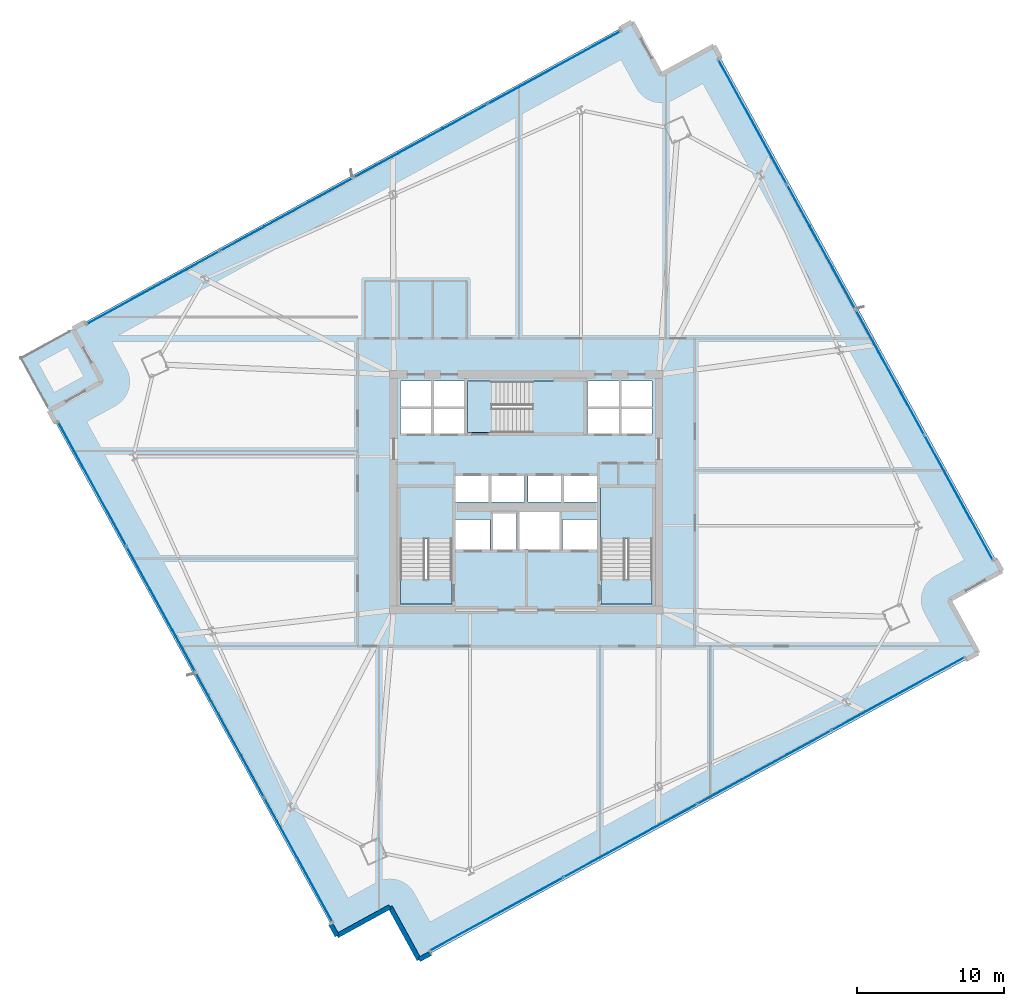
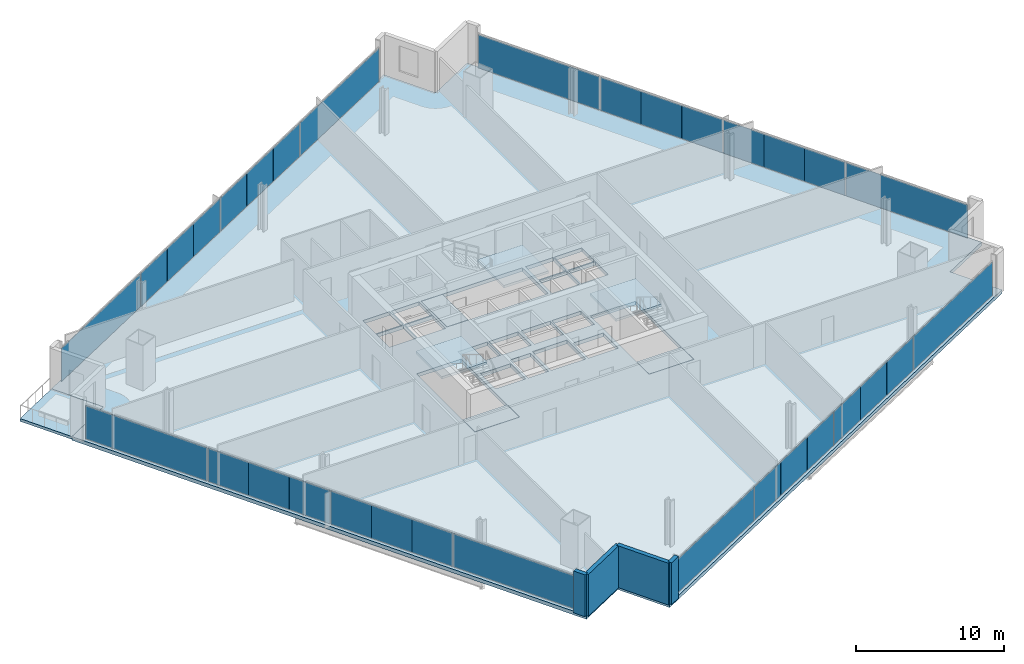
# One storey, part 23 of 33: 32 plates, 8 slabs, 4 walls, 7 elements without a shape of their own.
"""IFC4 building model written with IfcOpenShell, lengths in metres."""

from ifc_helpers import new_model, si_unit, direction, frame, frame_2d, origin, origin_2d, place, context, subcontext, project, spatial, polyline, rectangle, outline, extrude, source, transform, mapped, material, layer, layer_set, type_object, element, aggregate, save


model = new_model("IFC4")

# Units and contexts
model_context = context("Model", 3, precision=1e-05, world=origin(), true_north=direction((0.0, 1.0)))
body_context = subcontext(model_context, "Body", "Model", "MODEL_VIEW")
ifc_project = project(units=[si_unit("LENGTHUNIT", "METRE"), si_unit("AREAUNIT", "SQUARE_METRE"), si_unit("VOLUMEUNIT", "CUBIC_METRE"), si_unit("PLANEANGLEUNIT", "RADIAN"), si_unit("MASSUNIT", "GRAM", prefix="KILO")], contexts=[model_context])

# Site, building, storey
site_placement = place(None, origin())
site = spatial("IfcSite", under=ifc_project, at=site_placement, CompositionType="ELEMENT")
building_placement = place(site_placement, origin())
building = spatial("IfcBuilding", under=site, at=building_placement, Name="Haldenkirk Collegiate Tower", CompositionType="ELEMENT")
storey_placement = place(building_placement, frame((0.0, 0.0, 124.199951171875)))
storey = spatial("IfcBuildingStorey", under=building, at=storey_placement, Name="L30", CompositionType="ELEMENT", Elevation=124.199951171875)

# Slab
ifc_material_1 = material(Name="Concrete f'c 40 MPa", Category="concrete")
ifc_layer_1 = layer(ifc_material_1, 0.300048828125)
ifc_layer_set_1 = layer_set([ifc_layer_1], Name="Concrete f'c 40 MPa")
slab_type_1 = type_object("IfcSlabType", Name="SLB-FLR-300", PredefinedType="FLOOR", material=ifc_layer_set_1)
slab_1_placement = place(storey_placement, frame((0.0, 0.0, -0.300048828125)))
element("IfcSlab", 1, at=slab_1_placement, inside=storey, type_object=slab_type_1, Name="L30 composite structural floor slab", PredefinedType="FLOOR", context=body_context, shape_type="SweptSolid", body=[
    extrude(outline(polyline([(28.718994140625, -5.73974609375), (66.68115234375, 15.0869140625), (64.708984375, 18.681640625), (68.3037109375, 20.65380859375), (48.739501953125, 56.314453125), (45.14501953125, 54.342529296875), (43.1728515625, 57.93701171875), (5.210693359375, 37.110107421875), (7.1826171875, 33.515625), (3.588134765625, 31.543701171875), (23.15234375, -4.1171875), (26.746826171875, -2.145263671875), (28.718994140625, -5.73974609375)]), holes=[polyline([(27.449951171875, 18.39990234375), (30.949951171875, 18.39990234375), (30.949951171875, 26.300048828125), (27.449951171875, 26.300048828125), (27.449951171875, 18.39990234375)]), polyline([(41.050048828125, 18.39990234375), (44.550048828125, 18.39990234375), (44.550048828125, 26.300048828125), (41.050048828125, 26.300048828125), (41.050048828125, 18.39990234375)]), polyline([(32.0, 30.050048828125), (39.89990234375, 30.050048828125), (39.89990234375, 33.550048828125), (32.0, 33.550048828125), (32.0, 30.050048828125)]), polyline([(33.75, 22.10009765625), (35.35009765625, 22.10009765625), (35.35009765625, 24.550048828125), (33.75, 24.550048828125), (33.75, 22.10009765625)]), polyline([(27.449951171875, 29.949951171875), (29.580078125, 29.949951171875), (29.580078125, 31.699951171875), (27.449951171875, 31.699951171875), (27.449951171875, 29.949951171875)]), polyline([(29.679931640625, 29.949951171875), (31.85009765625, 29.949951171875), (31.85009765625, 31.699951171875), (29.679931640625, 31.699951171875), (29.679931640625, 29.949951171875)]), polyline([(27.449951171875, 31.800048828125), (29.580078125, 31.800048828125), (29.580078125, 33.550048828125), (27.449951171875, 33.550048828125), (27.449951171875, 31.800048828125)]), polyline([(29.679931640625, 31.800048828125), (31.85009765625, 31.800048828125), (31.85009765625, 33.550048828125), (29.679931640625, 33.550048828125), (29.679931640625, 31.800048828125)]), polyline([(40.14990234375, 29.949951171875), (42.320068359375, 29.949951171875), (42.320068359375, 31.699951171875), (40.14990234375, 31.699951171875), (40.14990234375, 29.949951171875)]), polyline([(42.419921875, 29.949951171875), (44.550048828125, 29.949951171875), (44.550048828125, 31.699951171875), (42.419921875, 31.699951171875), (42.419921875, 29.949951171875)]), polyline([(40.14990234375, 31.800048828125), (42.320068359375, 31.800048828125), (42.320068359375, 33.550048828125), (40.14990234375, 33.550048828125), (40.14990234375, 31.800048828125)]), polyline([(42.419921875, 31.800048828125), (44.550048828125, 31.800048828125), (44.550048828125, 33.550048828125), (42.419921875, 33.550048828125), (42.419921875, 31.800048828125)]), polyline([(31.199951171875, 25.35009765625), (33.47998046875, 25.35009765625), (33.47998046875, 27.14990234375), (31.199951171875, 27.14990234375), (31.199951171875, 25.35009765625)]), polyline([(33.60009765625, 25.35009765625), (35.8798828125, 25.35009765625), (35.8798828125, 27.14990234375), (33.60009765625, 27.14990234375), (33.60009765625, 25.35009765625)]), polyline([(36.1201171875, 25.35009765625), (38.39990234375, 25.35009765625), (38.39990234375, 27.14990234375), (36.1201171875, 27.14990234375), (36.1201171875, 25.35009765625)]), polyline([(38.52001953125, 25.35009765625), (40.800048828125, 25.35009765625), (40.800048828125, 27.14990234375), (38.52001953125, 27.14990234375), (38.52001953125, 25.35009765625)]), polyline([(31.199951171875, 22.10009765625), (33.550048828125, 22.10009765625), (33.550048828125, 24.14990234375), (31.199951171875, 24.14990234375), (31.199951171875, 22.10009765625)]), polyline([(38.449951171875, 22.10009765625), (40.800048828125, 22.10009765625), (40.800048828125, 24.14990234375), (38.449951171875, 24.14990234375), (38.449951171875, 22.10009765625)]), polyline([(35.550048828125, 22.10009765625), (38.25, 22.10009765625), (38.25, 24.64990234375), (35.550048828125, 24.64990234375), (35.550048828125, 22.10009765625)])]), origin(), (0.0, 0.0, 1.0), 0.300048828125),
])

# Stair, slab
stair_type = type_object("IfcStairType", Name="STR-DOGLEG-1650", PredefinedType="HALF_TURN_STAIR", material=ifc_material_1)
stair_1_placement = place(storey_placement, origin())
stair_1 = element("IfcStair", 2, at=stair_1_placement, inside=storey, type_object=stair_type, Name="L30 Core Exit Stair ST-1", PredefinedType="HALF_TURN_STAIR")
ifc_layer_2 = layer(ifc_material_1, 0.199951171875)
ifc_layer_set_2 = layer_set([ifc_layer_2], Name="Concrete f'c 40 MPa")
slab_type_2 = type_object("IfcSlabType", Name="SLB-LANDING-200", PredefinedType="LANDING", material=ifc_layer_set_2)
slab_2_placement = place(storey_placement, frame((0.0, 0.0, 1.675048828125)))
slab_2 = element("IfcSlab", 3, at=slab_2_placement, type_object=slab_type_2, Name="ST-1 landing 1", PredefinedType="LANDING", context=body_context, shape_type="SweptSolid", body=[
    extrude(outline(polyline([(30.97509765625, 22.824951171875), (27.425048828125, 22.824951171875), (27.425048828125, 26.324951171875), (30.97509765625, 26.324951171875), (30.97509765625, 22.824951171875)])), origin(), (0.0, 0.0, 1.0), 0.199951171875),
])
aggregate(stair_1, [slab_2])

stair_2_placement = place(storey_placement, origin())
stair_2 = element("IfcStair", 4, at=stair_2_placement, inside=storey, type_object=stair_type, Name="L30 Core Exit Stair ST-2", PredefinedType="HALF_TURN_STAIR")
slab_3_placement = place(storey_placement, frame((0.0, 0.0, 1.675048828125)))
slab_3 = element("IfcSlab", 5, at=slab_3_placement, type_object=slab_type_2, Name="ST-2 landing 1", PredefinedType="LANDING", context=body_context, shape_type="SweptSolid", body=[
    extrude(outline(polyline([(44.574951171875, 22.824951171875), (41.02490234375, 22.824951171875), (41.02490234375, 26.324951171875), (44.574951171875, 26.324951171875), (44.574951171875, 22.824951171875)])), origin(), (0.0, 0.0, 1.0), 0.199951171875),
])
aggregate(stair_2, [slab_3])

stair_3_placement = place(storey_placement, origin())
stair_3 = element("IfcStair", 6, at=stair_3_placement, inside=storey, type_object=stair_type, Name="L30 Core Exit Stair ST-3", PredefinedType="HALF_TURN_STAIR")
slab_4_placement = place(storey_placement, frame((0.0, 0.0, 1.675048828125)))
slab_4 = element("IfcSlab", 7, at=slab_4_placement, type_object=slab_type_2, Name="ST-3 landing 1", PredefinedType="LANDING", context=body_context, shape_type="SweptSolid", body=[
    extrude(outline(polyline([(36.425048828125, 30.02490234375), (36.425048828125, 33.574951171875), (39.925048828125, 33.574951171875), (39.925048828125, 30.02490234375), (36.425048828125, 30.02490234375)])), origin(), (0.0, 0.0, 1.0), 0.199951171875),
])
aggregate(stair_3, [slab_4])

# Slabs
ifc_layer_3 = layer(ifc_material_1, 0.25)
ifc_layer_set_3 = layer_set([ifc_layer_3], Name="Concrete f'c 40 MPa")
slab_type_3 = type_object("IfcSlabType", Name="SLB-STAIRLAND-250", PredefinedType="LANDING", material=ifc_layer_set_3)
slab_5_placement = place(storey_placement, frame((0.0, 0.0, -0.25)))
element("IfcSlab", 8, at=slab_5_placement, inside=storey, type_object=slab_type_3, Name="L30 stair ST1 structural floor landing slab", PredefinedType="LANDING", context=body_context, shape_type="SweptSolid", body=[
    extrude(outline(polyline([(27.4599609375, 18.409912109375), (30.93994140625, 18.409912109375), (30.93994140625, 20.080078125), (27.4599609375, 20.080078125), (27.4599609375, 18.409912109375)])), origin(), (0.0, 0.0, 1.0), 0.25),
])
slab_6_placement = place(storey_placement, frame((0.0, 0.0, -0.25)))
element("IfcSlab", 9, at=slab_6_placement, inside=storey, type_object=slab_type_3, Name="L30 stair ST2 structural floor landing slab", PredefinedType="LANDING", context=body_context, shape_type="SweptSolid", body=[
    extrude(outline(polyline([(41.06005859375, 18.409912109375), (44.5400390625, 18.409912109375), (44.5400390625, 20.080078125), (41.06005859375, 20.080078125), (41.06005859375, 18.409912109375)])), origin(), (0.0, 0.0, 1.0), 0.25),
])
slab_7_placement = place(storey_placement, frame((0.0, 0.0, -0.25)))
element("IfcSlab", 10, at=slab_7_placement, inside=storey, type_object=slab_type_3, Name="L30 stair ST3 structural floor landing slab", PredefinedType="LANDING", context=body_context, shape_type="SweptSolid", body=[
    extrude(outline(polyline([(32.010009765625, 30.06005859375), (33.679931640625, 30.06005859375), (33.679931640625, 33.5400390625), (32.010009765625, 33.5400390625), (32.010009765625, 30.06005859375)])), origin(), (0.0, 0.0, 1.0), 0.25),
])
ifc_layer_4 = layer(ifc_material_1, 0.22998046875)
ifc_layer_set_4 = layer_set([ifc_layer_4], Name="Concrete f'c 40 MPa")
slab_type_4 = type_object("IfcSlabType", Name="SLB-TERR-SPIRAL-230", PredefinedType="FLOOR", material=ifc_layer_set_4)
slab_8_placement = place(storey_placement, frame((0.0, 0.0, -0.22998046875)))
element("IfcSlab", 11, at=slab_8_placement, inside=storey, type_object=slab_type_4, Name="L30 spiralling corner terrace slab", PredefinedType="FLOOR", context=body_context, shape_type="SweptSolid", body=[
    extrude(outline(polyline([(3.588134765625, 31.543701171875), (7.1826171875, 33.515625), (5.210693359375, 37.110107421875), (1.615966796875, 35.13818359375), (3.588134765625, 31.543701171875)])), origin(), (0.0, 0.0, 1.0), 0.22998046875),
])

# Curtain wall, plates
ifc_material_2 = material(Name="Anodised architectural bronze aluminium", Category="aluminium")
curtain_wall_type_1 = type_object("IfcCurtainWallType", Name="CW-SYS2-CONCAVE", PredefinedType="USERDEFINED", material=ifc_material_2)
curtain_wall_1_placement = place(storey_placement, origin())
curtain_wall_1 = element("IfcCurtainWall", 12, at=curtain_wall_1_placement, inside=storey, type_object=curtain_wall_type_1, Name="L30 South concave recessed bronze-anodised curtain wall", ObjectType="UNITISED CURTAIN WALL", PredefinedType="USERDEFINED")
ifc_material_3 = material(Name="Low-E argon triple insulating glass", Category="glass")
ifc_layer_5 = layer(ifc_material_3, 0.0419921875)
ifc_layer_set_5 = layer_set([ifc_layer_5], Name="Low-E argon triple insulating glass")
plate_type_1 = type_object("IfcPlateType", Name="CW-PNL-02", PredefinedType="CURTAIN_PANEL", material=ifc_layer_set_5)
shared_shape_1 = source(origin(), body_context, "Body", "SweptSolid", [
    extrude(rectangle(XDim=10.262451171875, YDim=0.0419921875, at=origin_2d()), origin(), (0.0, 0.0, 1.0), 2.7509765625),
])
plate_1_placement = place(storey_placement, frame((61.240966796875, 12.307861328125, 0.074951171875), z_axis=(0.0, 0.0, 1.0), x_axis=(-0.876726763783, -0.480988754199, 0.0)))
plate_1 = element("IfcPlate", 13, at=plate_1_placement, type_object=plate_type_1, Name="CW-02 panel 1.1", PredefinedType="CURTAIN_PANEL", context=body_context, shape_type="MappedRepresentation", body=[
    mapped(shared_shape_1, transform((0.0, 0.0, 0.0), x_axis=(1.0, 0.0, 0.0), y_axis=(0.0, 1.0, 0.0), z_axis=(0.0, 0.0, 1.0), scale=1.0)),
])
plate_2_placement = place(storey_placement, frame((33.98583984375, -2.64501953125, 0.074951171875), z_axis=(0.0, 0.0, 1.0), x_axis=(-0.876726763783, -0.480988754199, 0.0)))
plate_2 = element("IfcPlate", 14, at=plate_2_placement, type_object=plate_type_1, Name="CW-02 panel 4.1", PredefinedType="CURTAIN_PANEL", context=body_context, shape_type="MappedRepresentation", body=[
    mapped(shared_shape_1, transform((0.0, 0.0, 0.0), x_axis=(1.0, 0.0, 0.0), y_axis=(0.0, 1.0, 0.0), z_axis=(0.0, 0.0, 1.0), scale=1.0)),
])
ifc_material_4 = material(Name="Bronze-anodised insulated aluminium spandrel panel", Category="aluminium")
ifc_layer_6 = layer(ifc_material_4, 0.0419921875)
ifc_layer_set_6 = layer_set([ifc_layer_6], Name="Bronze-anodised insulated aluminium spandrel panel")
plate_type_2 = type_object("IfcPlateType", Name="CW-SPD-02", PredefinedType="CURTAIN_PANEL", material=ifc_layer_set_6)
shared_shape_2 = source(origin(), body_context, "Body", "SweptSolid", [
    extrude(rectangle(XDim=3.4208984375, YDim=0.0419921875, at=origin_2d()), origin(), (0.0, 0.0, 1.0), 2.7509765625),
])
plate_3_placement = place(storey_placement, frame((55.177001953125, 8.98095703125, 0.074951171875), z_axis=(0.0, 0.0, 1.0), x_axis=(-0.876726763783, -0.480988754199, 0.0)))
plate_3 = element("IfcPlate", 15, at=plate_3_placement, type_object=plate_type_2, Name="CW-02 spandrel panel 2.1a", PredefinedType="CURTAIN_PANEL", context=body_context, shape_type="MappedRepresentation", body=[
    mapped(shared_shape_2, transform((0.0, 0.0, 0.0), x_axis=(1.0, 0.0, 0.0), y_axis=(0.0, 1.0, 0.0), z_axis=(0.0, 0.0, 1.0), scale=1.0)),
])
plate_4_placement = place(storey_placement, frame((49.14599609375, 5.672119140625, 0.074951171875), z_axis=(0.0, 0.0, 1.0), x_axis=(-0.876726763783, -0.480988754199, 0.0)))
plate_4 = element("IfcPlate", 16, at=plate_4_placement, type_object=plate_type_2, Name="CW-02 spandrel panel 2.1c", PredefinedType="CURTAIN_PANEL", context=body_context, shape_type="MappedRepresentation", body=[
    mapped(shared_shape_2, transform((0.0, 0.0, 0.0), x_axis=(1.0, 0.0, 0.0), y_axis=(0.0, 1.0, 0.0), z_axis=(0.0, 0.0, 1.0), scale=1.0)),
])
plate_5_placement = place(storey_placement, frame((46.0810546875, 3.99072265625, 0.074951171875), z_axis=(0.0, 0.0, 1.0), x_axis=(-0.876726763783, -0.480988754199, 0.0)))
plate_5 = element("IfcPlate", 17, at=plate_5_placement, type_object=plate_type_2, Name="CW-02 spandrel panel 3.1a", PredefinedType="CURTAIN_PANEL", context=body_context, shape_type="MappedRepresentation", body=[
    mapped(shared_shape_2, transform((0.0, 0.0, 0.0), x_axis=(1.0, 0.0, 0.0), y_axis=(0.0, 1.0, 0.0), z_axis=(0.0, 0.0, 1.0), scale=1.0)),
])
plate_6_placement = place(storey_placement, frame((40.0498046875, 0.681884765625, 0.074951171875), z_axis=(0.0, 0.0, 1.0), x_axis=(-0.876726763783, -0.480988754199, 0.0)))
plate_6 = element("IfcPlate", 18, at=plate_6_placement, type_object=plate_type_1, Name="CW-02 panel 3.1c", PredefinedType="CURTAIN_PANEL", context=body_context, shape_type="MappedRepresentation", body=[
    mapped(shared_shape_2, transform((0.0, 0.0, 0.0), x_axis=(1.0, 0.0, 0.0), y_axis=(0.0, 1.0, 0.0), z_axis=(0.0, 0.0, 1.0), scale=1.0)),
])
shared_shape_3 = source(origin(), body_context, "Body", "SweptSolid", [
    extrude(rectangle(XDim=3.408203125, YDim=0.0419921875, at=origin_2d()), origin(), (0.0, 0.0, 1.0), 2.7509765625),
])
plate_7_placement = place(storey_placement, frame((52.16162109375, 7.326416015625, 0.074951171875), z_axis=(0.0, 0.0, 1.0), x_axis=(-0.876726763783, -0.480988754199, 0.0)))
plate_7 = element("IfcPlate", 19, at=plate_7_placement, type_object=plate_type_2, Name="CW-02 spandrel panel 2.1b", PredefinedType="CURTAIN_PANEL", context=body_context, shape_type="MappedRepresentation", body=[
    mapped(shared_shape_3, transform((0.0, 0.0, 0.0), x_axis=(1.0, 0.0, 0.0), y_axis=(0.0, 1.0, 0.0), z_axis=(0.0, 0.0, 1.0), scale=1.0)),
])
plate_8_placement = place(storey_placement, frame((43.0654296875, 2.336181640625, 0.074951171875), z_axis=(0.0, 0.0, 1.0), x_axis=(-0.876726763783, -0.480988754199, 0.0)))
plate_8 = element("IfcPlate", 20, at=plate_8_placement, type_object=plate_type_1, Name="CW-02 panel 3.1b", PredefinedType="CURTAIN_PANEL", context=body_context, shape_type="MappedRepresentation", body=[
    mapped(shared_shape_3, transform((0.0, 0.0, 0.0), x_axis=(1.0, 0.0, 0.0), y_axis=(0.0, 1.0, 0.0), z_axis=(0.0, 0.0, 1.0), scale=1.0)),
])
aggregate(curtain_wall_1, [plate_1, plate_3, plate_7, plate_4, plate_5, plate_8, plate_6, plate_2])

curtain_wall_type_2 = type_object("IfcCurtainWallType", Name="CW-SYS1-CONVEX-LOW", PredefinedType="USERDEFINED", material=ifc_material_2)
curtain_wall_2_placement = place(storey_placement, origin())
curtain_wall_2 = element("IfcCurtainWall", 21, at=curtain_wall_2_placement, inside=storey, type_object=curtain_wall_type_2, Name="L30 Lower tower convex bronze-framed unitised curtain wall", ObjectType="UNITISED CURTAIN WALL", PredefinedType="USERDEFINED")
ifc_layer_7 = layer(ifc_material_3, 0.0439453125)
ifc_layer_set_7 = layer_set([ifc_layer_7], Name="Low-E argon triple insulating glass")
plate_type_3 = type_object("IfcPlateType", Name="CW-PNL-1A", PredefinedType="CURTAIN_PANEL", material=ifc_layer_set_7)
shared_shape_4 = source(origin(), body_context, "Body", "SweptSolid", [
    extrude(rectangle(XDim=9.5986328125, YDim=0.0439453125, at=origin_2d()), origin(), (0.0, 0.0, 1.0), 2.740966796875),
])
plate_9_placement = place(storey_placement, frame((51.361572265625, 51.160888671875, 0.080078125), z_axis=(0.0, 0.0, 1.0), x_axis=(0.480989665465, -0.876726263845, 0.0)))
plate_9 = element("IfcPlate", 22, at=plate_9_placement, type_object=plate_type_3, Name="CW-1A panel 1.1", PredefinedType="CURTAIN_PANEL", context=body_context, shape_type="MappedRepresentation", body=[
    mapped(shared_shape_4, transform((0.0, 0.0, 0.0), x_axis=(1.0, 0.0, 0.0), y_axis=(0.0, 1.0, 0.0), z_axis=(0.0, 0.0, 1.0), scale=1.0)),
])
plate_10_placement = place(storey_placement, frame((65.365966796875, 25.634033203125, 0.080078125), z_axis=(0.0, 0.0, 1.0), x_axis=(0.480989665465, -0.876726263845, 0.0)))
plate_10 = element("IfcPlate", 23, at=plate_10_placement, type_object=plate_type_3, Name="CW-1A panel 4.1", PredefinedType="CURTAIN_PANEL", context=body_context, shape_type="MappedRepresentation", body=[
    mapped(shared_shape_4, transform((0.0, 0.0, 0.0), x_axis=(1.0, 0.0, 0.0), y_axis=(0.0, 1.0, 0.0), z_axis=(0.0, 0.0, 1.0), scale=1.0)),
])

curtain_wall_3_placement = place(storey_placement, origin())
curtain_wall_3 = element("IfcCurtainWall", 24, at=curtain_wall_3_placement, inside=storey, type_object=curtain_wall_type_2, Name="L30 Lower tower convex bronze-framed unitised curtain wall", ObjectType="UNITISED CURTAIN WALL", PredefinedType="USERDEFINED")
plate_11_placement = place(storey_placement, frame((20.5302734375, 1.036376953125, 0.080078125), z_axis=(0.0, 0.0, 1.0), x_axis=(-0.480988580708, 0.876726858964, 0.0)))
plate_11 = element("IfcPlate", 25, at=plate_11_placement, type_object=plate_type_3, Name="CW-1A panel 1.1", PredefinedType="CURTAIN_PANEL", context=body_context, shape_type="MappedRepresentation", body=[
    mapped(shared_shape_4, transform((0.0, 0.0, 0.0), x_axis=(1.0, 0.0, 0.0), y_axis=(0.0, 1.0, 0.0), z_axis=(0.0, 0.0, 1.0), scale=1.0)),
])
plate_12_placement = place(storey_placement, frame((6.525634765625, 26.563232421875, 0.080078125), z_axis=(0.0, 0.0, 1.0), x_axis=(-0.480988580708, 0.876726858964, 0.0)))
plate_12 = element("IfcPlate", 26, at=plate_12_placement, type_object=plate_type_3, Name="CW-1A panel 4.1", PredefinedType="CURTAIN_PANEL", context=body_context, shape_type="MappedRepresentation", body=[
    mapped(shared_shape_4, transform((0.0, 0.0, 0.0), x_axis=(1.0, 0.0, 0.0), y_axis=(0.0, 1.0, 0.0), z_axis=(0.0, 0.0, 1.0), scale=1.0)),
])

# Plate
ifc_layer_8 = layer(ifc_material_4, 0.0439453125)
ifc_layer_set_8 = layer_set([ifc_layer_8], Name="Bronze-anodised insulated aluminium spandrel panel")
plate_type_4 = type_object("IfcPlateType", Name="CW-SPD-1A", PredefinedType="CURTAIN_PANEL", material=ifc_layer_set_8)
shared_shape_5 = source(origin(), body_context, "Body", "SweptSolid", [
    extrude(rectangle(XDim=3.200439453125, YDim=0.0439453125, at=origin_2d()), origin(), (0.0, 0.0, 1.0), 2.740966796875),
])
plate_13_placement = place(storey_placement, frame((54.47802734375, 45.47998046875, 0.080078125), z_axis=(0.0, 0.0, 1.0), x_axis=(0.480989665465, -0.876726263845, 0.0)))
plate_13 = element("IfcPlate", 27, at=plate_13_placement, type_object=plate_type_4, Name="CW-1A spandrel panel 2.1a", PredefinedType="CURTAIN_PANEL", context=body_context, shape_type="MappedRepresentation", body=[
    mapped(shared_shape_5, transform((0.0, 0.0, 0.0), x_axis=(1.0, 0.0, 0.0), y_axis=(0.0, 1.0, 0.0), z_axis=(0.0, 0.0, 1.0), scale=1.0)),
])

plate_14_placement = place(storey_placement, frame((57.574951171875, 39.83544921875, 0.080078125), z_axis=(0.0, 0.0, 1.0), x_axis=(0.480989665465, -0.876726263845, 0.0)))
plate_14 = element("IfcPlate", 28, at=plate_14_placement, type_object=plate_type_4, Name="CW-1A spandrel panel 2.1c", PredefinedType="CURTAIN_PANEL", context=body_context, shape_type="MappedRepresentation", body=[
    mapped(shared_shape_5, transform((0.0, 0.0, 0.0), x_axis=(1.0, 0.0, 0.0), y_axis=(0.0, 1.0, 0.0), z_axis=(0.0, 0.0, 1.0), scale=1.0)),
])

plate_15_placement = place(storey_placement, frame((59.152587890625, 36.95947265625, 0.080078125), z_axis=(0.0, 0.0, 1.0), x_axis=(0.480989665465, -0.876726263845, 0.0)))
plate_15 = element("IfcPlate", 29, at=plate_15_placement, type_object=plate_type_4, Name="CW-1A spandrel panel 3.1a", PredefinedType="CURTAIN_PANEL", context=body_context, shape_type="MappedRepresentation", body=[
    mapped(shared_shape_5, transform((0.0, 0.0, 0.0), x_axis=(1.0, 0.0, 0.0), y_axis=(0.0, 1.0, 0.0), z_axis=(0.0, 0.0, 1.0), scale=1.0)),
])

plate_16_placement = place(storey_placement, frame((62.24951171875, 31.31494140625, 0.080078125), z_axis=(0.0, 0.0, 1.0), x_axis=(0.480989665465, -0.876726263845, 0.0)))
plate_16 = element("IfcPlate", 30, at=plate_16_placement, type_object=plate_type_3, Name="CW-1A panel 3.1c", PredefinedType="CURTAIN_PANEL", context=body_context, shape_type="MappedRepresentation", body=[
    mapped(shared_shape_5, transform((0.0, 0.0, 0.0), x_axis=(1.0, 0.0, 0.0), y_axis=(0.0, 1.0, 0.0), z_axis=(0.0, 0.0, 1.0), scale=1.0)),
])

plate_17_placement = place(storey_placement, frame((17.413818359375, 6.717041015625, 0.080078125), z_axis=(0.0, 0.0, 1.0), x_axis=(-0.480988580708, 0.876726858964, 0.0)))
plate_17 = element("IfcPlate", 31, at=plate_17_placement, type_object=plate_type_4, Name="CW-1A spandrel panel 2.1a", PredefinedType="CURTAIN_PANEL", context=body_context, shape_type="MappedRepresentation", body=[
    mapped(shared_shape_5, transform((0.0, 0.0, 0.0), x_axis=(1.0, 0.0, 0.0), y_axis=(0.0, 1.0, 0.0), z_axis=(0.0, 0.0, 1.0), scale=1.0)),
])

plate_18_placement = place(storey_placement, frame((14.31689453125, 12.36181640625, 0.080078125), z_axis=(0.0, 0.0, 1.0), x_axis=(-0.480988580708, 0.876726858964, 0.0)))
plate_18 = element("IfcPlate", 32, at=plate_18_placement, type_object=plate_type_4, Name="CW-1A spandrel panel 2.1c", PredefinedType="CURTAIN_PANEL", context=body_context, shape_type="MappedRepresentation", body=[
    mapped(shared_shape_5, transform((0.0, 0.0, 0.0), x_axis=(1.0, 0.0, 0.0), y_axis=(0.0, 1.0, 0.0), z_axis=(0.0, 0.0, 1.0), scale=1.0)),
])

plate_19_placement = place(storey_placement, frame((12.739013671875, 15.23779296875, 0.080078125), z_axis=(0.0, 0.0, 1.0), x_axis=(-0.480988580708, 0.876726858964, 0.0)))
plate_19 = element("IfcPlate", 33, at=plate_19_placement, type_object=plate_type_4, Name="CW-1A spandrel panel 3.1a", PredefinedType="CURTAIN_PANEL", context=body_context, shape_type="MappedRepresentation", body=[
    mapped(shared_shape_5, transform((0.0, 0.0, 0.0), x_axis=(1.0, 0.0, 0.0), y_axis=(0.0, 1.0, 0.0), z_axis=(0.0, 0.0, 1.0), scale=1.0)),
])

plate_20_placement = place(storey_placement, frame((9.642333984375, 20.88232421875, 0.080078125), z_axis=(0.0, 0.0, 1.0), x_axis=(-0.480988580708, 0.876726858964, 0.0)))
plate_20 = element("IfcPlate", 34, at=plate_20_placement, type_object=plate_type_3, Name="CW-1A panel 3.1c", PredefinedType="CURTAIN_PANEL", context=body_context, shape_type="MappedRepresentation", body=[
    mapped(shared_shape_5, transform((0.0, 0.0, 0.0), x_axis=(1.0, 0.0, 0.0), y_axis=(0.0, 1.0, 0.0), z_axis=(0.0, 0.0, 1.0), scale=1.0)),
])

shared_shape_6 = source(origin(), body_context, "Body", "SweptSolid", [
    extrude(rectangle(XDim=3.18798828125, YDim=0.0439453125, at=origin_2d()), origin(), (0.0, 0.0, 1.0), 2.740966796875),
])
plate_21_placement = place(storey_placement, frame((56.026611328125, 42.65771484375, 0.080078125), z_axis=(0.0, 0.0, 1.0), x_axis=(0.480989665465, -0.876726263845, 0.0)))
plate_21 = element("IfcPlate", 35, at=plate_21_placement, type_object=plate_type_4, Name="CW-1A spandrel panel 2.1b", PredefinedType="CURTAIN_PANEL", context=body_context, shape_type="MappedRepresentation", body=[
    mapped(shared_shape_6, transform((0.0, 0.0, 0.0), x_axis=(1.0, 0.0, 0.0), y_axis=(0.0, 1.0, 0.0), z_axis=(0.0, 0.0, 1.0), scale=1.0)),
])

plate_22_placement = place(storey_placement, frame((60.701171875, 34.13720703125, 0.080078125), z_axis=(0.0, 0.0, 1.0), x_axis=(0.480989665465, -0.876726263845, 0.0)))
plate_22 = element("IfcPlate", 36, at=plate_22_placement, type_object=plate_type_3, Name="CW-1A panel 3.1b", PredefinedType="CURTAIN_PANEL", context=body_context, shape_type="MappedRepresentation", body=[
    mapped(shared_shape_6, transform((0.0, 0.0, 0.0), x_axis=(1.0, 0.0, 0.0), y_axis=(0.0, 1.0, 0.0), z_axis=(0.0, 0.0, 1.0), scale=1.0)),
])

aggregate(curtain_wall_2, [plate_9, plate_13, plate_21, plate_14, plate_15, plate_22, plate_16, plate_10])

plate_23_placement = place(storey_placement, frame((15.865234375, 9.539306640625, 0.080078125), z_axis=(0.0, 0.0, 1.0), x_axis=(-0.480988580708, 0.876726858964, 0.0)))
plate_23 = element("IfcPlate", 37, at=plate_23_placement, type_object=plate_type_4, Name="CW-1A spandrel panel 2.1b", PredefinedType="CURTAIN_PANEL", context=body_context, shape_type="MappedRepresentation", body=[
    mapped(shared_shape_6, transform((0.0, 0.0, 0.0), x_axis=(1.0, 0.0, 0.0), y_axis=(0.0, 1.0, 0.0), z_axis=(0.0, 0.0, 1.0), scale=1.0)),
])

plate_24_placement = place(storey_placement, frame((11.190673828125, 18.06005859375, 0.080078125), z_axis=(0.0, 0.0, 1.0), x_axis=(-0.480988580708, 0.876726858964, 0.0)))
plate_24 = element("IfcPlate", 38, at=plate_24_placement, type_object=plate_type_3, Name="CW-1A panel 3.1b", PredefinedType="CURTAIN_PANEL", context=body_context, shape_type="MappedRepresentation", body=[
    mapped(shared_shape_6, transform((0.0, 0.0, 0.0), x_axis=(1.0, 0.0, 0.0), y_axis=(0.0, 1.0, 0.0), z_axis=(0.0, 0.0, 1.0), scale=1.0)),
])

aggregate(curtain_wall_3, [plate_11, plate_17, plate_23, plate_18, plate_19, plate_24, plate_20, plate_12])

# Curtain wall, plates
curtain_wall_4_placement = place(storey_placement, origin())
curtain_wall_4 = element("IfcCurtainWall", 39, at=curtain_wall_4_placement, inside=storey, type_object=curtain_wall_type_2, Name="L30 Lower tower convex bronze-framed unitised curtain wall", ObjectType="UNITISED CURTAIN WALL", PredefinedType="USERDEFINED")
shared_shape_7 = source(origin(), body_context, "Body", "SweptSolid", [
    extrude(rectangle(XDim=10.2548828125, YDim=0.0439453125, at=origin_2d()), origin(), (0.0, 0.0, 1.0), 2.740966796875),
])
plate_25_placement = place(storey_placement, frame((10.65185546875, 39.89013671875, 0.080078125), z_axis=(0.0, 0.0, 1.0), x_axis=(0.876726763783, 0.480988754199, 0.0)))
plate_25 = element("IfcPlate", 40, at=plate_25_placement, type_object=plate_type_3, Name="CW-1A panel 1.1", PredefinedType="CURTAIN_PANEL", context=body_context, shape_type="MappedRepresentation", body=[
    mapped(shared_shape_7, transform((0.0, 0.0, 0.0), x_axis=(1.0, 0.0, 0.0), y_axis=(0.0, 1.0, 0.0), z_axis=(0.0, 0.0, 1.0), scale=1.0)),
])
plate_26_placement = place(storey_placement, frame((37.90478515625, 54.841552734375, 0.080078125), z_axis=(0.0, 0.0, 1.0), x_axis=(0.876726763783, 0.480988754199, 0.0)))
plate_26 = element("IfcPlate", 41, at=plate_26_placement, type_object=plate_type_3, Name="CW-1A panel 4.1", PredefinedType="CURTAIN_PANEL", context=body_context, shape_type="MappedRepresentation", body=[
    mapped(shared_shape_7, transform((0.0, 0.0, 0.0), x_axis=(1.0, 0.0, 0.0), y_axis=(0.0, 1.0, 0.0), z_axis=(0.0, 0.0, 1.0), scale=1.0)),
])
shared_shape_8 = source(origin(), body_context, "Body", "SweptSolid", [
    extrude(rectangle(XDim=3.419189453125, YDim=0.0439453125, at=origin_2d()), origin(), (0.0, 0.0, 1.0), 2.740966796875),
])
plate_27_placement = place(storey_placement, frame((16.71630859375, 43.217041015625, 0.080078125), z_axis=(0.0, 0.0, 1.0), x_axis=(0.876726763783, 0.480988754199, 0.0)))
plate_27 = element("IfcPlate", 42, at=plate_27_placement, type_object=plate_type_4, Name="CW-1A spandrel panel 2.1a", PredefinedType="CURTAIN_PANEL", context=body_context, shape_type="MappedRepresentation", body=[
    mapped(shared_shape_8, transform((0.0, 0.0, 0.0), x_axis=(1.0, 0.0, 0.0), y_axis=(0.0, 1.0, 0.0), z_axis=(0.0, 0.0, 1.0), scale=1.0)),
])
plate_28_placement = place(storey_placement, frame((22.744384765625, 46.5244140625, 0.080078125), z_axis=(0.0, 0.0, 1.0), x_axis=(0.876726763783, 0.480988754199, 0.0)))
plate_28 = element("IfcPlate", 43, at=plate_28_placement, type_object=plate_type_4, Name="CW-1A spandrel panel 2.1c", PredefinedType="CURTAIN_PANEL", context=body_context, shape_type="MappedRepresentation", body=[
    mapped(shared_shape_8, transform((0.0, 0.0, 0.0), x_axis=(1.0, 0.0, 0.0), y_axis=(0.0, 1.0, 0.0), z_axis=(0.0, 0.0, 1.0), scale=1.0)),
])
plate_29_placement = place(storey_placement, frame((25.812255859375, 48.207275390625, 0.080078125), z_axis=(0.0, 0.0, 1.0), x_axis=(0.876726763783, 0.480988754199, 0.0)))
plate_29 = element("IfcPlate", 44, at=plate_29_placement, type_object=plate_type_4, Name="CW-1A spandrel panel 3.1a", PredefinedType="CURTAIN_PANEL", context=body_context, shape_type="MappedRepresentation", body=[
    mapped(shared_shape_8, transform((0.0, 0.0, 0.0), x_axis=(1.0, 0.0, 0.0), y_axis=(0.0, 1.0, 0.0), z_axis=(0.0, 0.0, 1.0), scale=1.0)),
])
plate_30_placement = place(storey_placement, frame((31.840576171875, 51.514404296875, 0.080078125), z_axis=(0.0, 0.0, 1.0), x_axis=(0.876726763783, 0.480988754199, 0.0)))
plate_30 = element("IfcPlate", 45, at=plate_30_placement, type_object=plate_type_3, Name="CW-1A panel 3.1c", PredefinedType="CURTAIN_PANEL", context=body_context, shape_type="MappedRepresentation", body=[
    mapped(shared_shape_8, transform((0.0, 0.0, 0.0), x_axis=(1.0, 0.0, 0.0), y_axis=(0.0, 1.0, 0.0), z_axis=(0.0, 0.0, 1.0), scale=1.0)),
])
shared_shape_9 = source(origin(), body_context, "Body", "SweptSolid", [
    extrude(rectangle(XDim=3.40673828125, YDim=0.0439453125, at=origin_2d()), origin(), (0.0, 0.0, 1.0), 2.740966796875),
])
plate_31_placement = place(storey_placement, frame((19.730224609375, 44.87060546875, 0.080078125), z_axis=(0.0, 0.0, 1.0), x_axis=(0.876726763783, 0.480988754199, 0.0)))
plate_31 = element("IfcPlate", 46, at=plate_31_placement, type_object=plate_type_4, Name="CW-1A spandrel panel 2.1b", PredefinedType="CURTAIN_PANEL", context=body_context, shape_type="MappedRepresentation", body=[
    mapped(shared_shape_9, transform((0.0, 0.0, 0.0), x_axis=(1.0, 0.0, 0.0), y_axis=(0.0, 1.0, 0.0), z_axis=(0.0, 0.0, 1.0), scale=1.0)),
])
plate_32_placement = place(storey_placement, frame((28.826416015625, 49.86083984375, 0.080078125), z_axis=(0.0, 0.0, 1.0), x_axis=(0.876726763783, 0.480988754199, 0.0)))
plate_32 = element("IfcPlate", 47, at=plate_32_placement, type_object=plate_type_3, Name="CW-1A panel 3.1b", PredefinedType="CURTAIN_PANEL", context=body_context, shape_type="MappedRepresentation", body=[
    mapped(shared_shape_9, transform((0.0, 0.0, 0.0), x_axis=(1.0, 0.0, 0.0), y_axis=(0.0, 1.0, 0.0), z_axis=(0.0, 0.0, 1.0), scale=1.0)),
])
aggregate(curtain_wall_4, [plate_25, plate_27, plate_31, plate_28, plate_29, plate_32, plate_30, plate_26])

# Walls
ifc_material_5 = material(Name="Precast concrete f'c 40 MPa", Category="concrete")
ifc_layer_9 = layer(ifc_material_5, 0.320068359375)
ifc_layer_set_9 = layer_set([ifc_layer_9], Name="Precast concrete f'c 40 MPa")
wall_type = type_object("IfcWallType", Name="WL-EXT-TWR-320", PredefinedType="STANDARD", material=ifc_layer_set_9)
for number, where, z_axis, x_axis, name in (
    (48, (29.508056640625, -5.306884765625, 0.0), (0.0, 0.0, 1.0), (-0.876742303373, -0.480960428181, 0.0), "L30 precast corner pier SR"),
    (49, (23.15234375, -4.1171875, 0.0), (0.0, 0.0, 1.0), (-0.480960428181, 0.876742303373, 0.0), "L30 precast corner pier WL"),
):
    element("IfcWall", number, at=place(storey_placement, frame(where, z_axis=z_axis, x_axis=x_axis)), inside=storey, type_object=wall_type, Name=name, PredefinedType="STANDARD", context=body_context, shape_type="SweptSolid", body=[
        extrude(rectangle(XDim=0.89990234375, YDim=0.320068359375, at=frame_2d((0.449951171875, 0.0))), origin(), (0.0, 0.0, 1.0), 3.449951171875),
    ])
for number, where, z_axis, x_axis, name in (
    (50, (26.746826171875, -2.145263671875, 0.0), (0.0, 0.0, 1.0), (-0.876734650503, -0.480974378327, 0.0), "L30 bronze precast notch wall 11"),
    (51, (28.718994140625, -5.73974609375, 0.0), (0.0, 0.0, 1.0), (-0.481020149237, 0.876709539145, 0.0), "L30 bronze precast notch wall 12"),
):
    element("IfcWall", number, at=place(storey_placement, frame(where, z_axis=z_axis, x_axis=x_axis)), inside=storey, type_object=wall_type, Name=name, PredefinedType="STANDARD", context=body_context, shape_type="SweptSolid", body=[
        extrude(rectangle(XDim=4.099853515625, YDim=0.320068359375, at=frame_2d((2.0498046875, 0.0))), origin(), (0.0, 0.0, 1.0), 3.449951171875),
    ])

save(model, "model.ifc")
